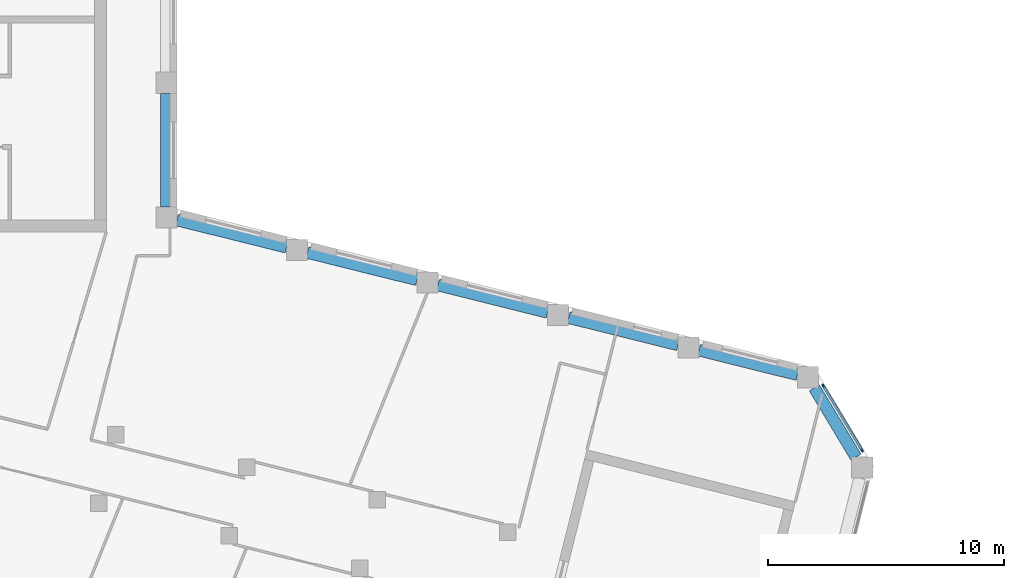
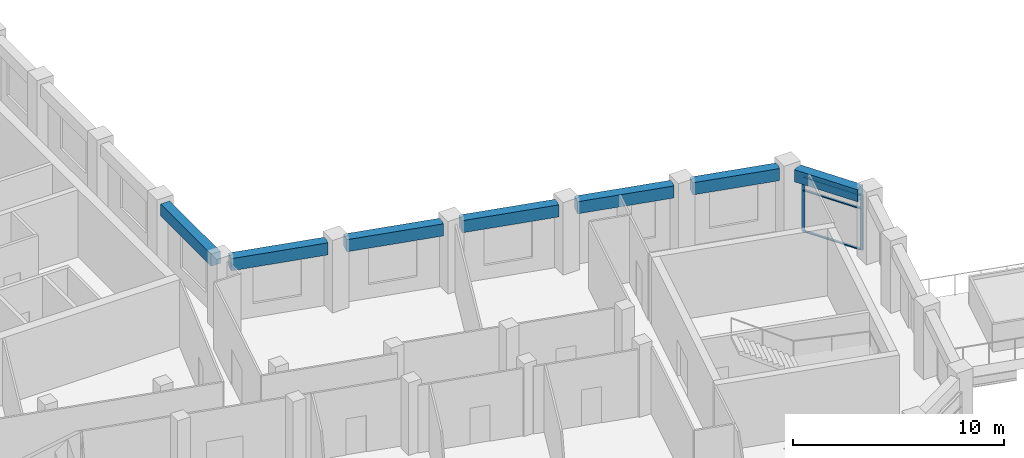
# One storey, part 3 of 13: 7 beams, 5 members, 1 element without a shape of its own.
"""IFC4 building model written with IfcOpenShell, lengths in metres."""

from ifc_helpers import new_model, si_unit, direction, frame, origin, origin_2d, place, context, subcontext, project, spatial, rectangle, extrude, material, material_profile, profile_set, type_object, element, aggregate, save


model = new_model("IFC4")

# Units and contexts
model_context = context("Model", 3, precision=1e-05, world=origin(), true_north=direction((0.0, 1.0)))
body_context = subcontext(model_context, "Body", "Model", "MODEL_VIEW")
ifc_project = project(units=[si_unit("LENGTHUNIT", "METRE"), si_unit("AREAUNIT", "SQUARE_METRE"), si_unit("VOLUMEUNIT", "CUBIC_METRE"), si_unit("PLANEANGLEUNIT", "RADIAN"), si_unit("MASSUNIT", "GRAM", prefix="KILO")], contexts=[model_context])

# Site, building, storey
site_placement = place(None, origin())
site = spatial("IfcSite", under=ifc_project, at=site_placement, CompositionType="ELEMENT")
building_placement = place(site_placement, origin())
building = spatial("IfcBuilding", under=site, at=building_placement, Name="Meshkara Civic Tower", CompositionType="ELEMENT")
storey_placement = place(building_placement, frame((0.0, 0.0, 383.39990234375)))
storey = spatial("IfcBuildingStorey", under=building, at=storey_placement, Name="L88", CompositionType="ELEMENT", Elevation=383.39990234375)

# Curtain wall, members
ifc_material_1 = material(Name="Tinted double glazing", Category="glass")
curtain_wall_type = type_object("IfcCurtainWallType", Name="CW POOL PAVILION AND FOYER", PredefinedType="NOTDEFINED", material=ifc_material_1)
curtain_wall_placement = place(storey_placement, origin())
curtain_wall = element("IfcCurtainWall", 1, at=curtain_wall_placement, inside=storey, type_object=curtain_wall_type, Name="Curtain wall CW4", PredefinedType="NOTDEFINED")
ifc_material_2 = material(Name="Bronze anodised aluminium", Category="aluminium")
ifc_material_profile_1 = material_profile(ifc_material_2, rectangle(XDim=0.06005859375, YDim=0.159912109375, at=origin_2d()))
ifc_profile_set_1 = profile_set([ifc_material_profile_1], Name="Bronze anodised aluminium")
member_type_1 = type_object("IfcMemberType", Name="CW MULLION 60x160", PredefinedType="MULLION", material=ifc_profile_set_1)
member_1_placement = place(storey_placement, frame((62.815673828125, 4.860595703125, 0.0), z_axis=(0.0, 0.0, 1.0), x_axis=(-0.85724680136, -0.514905740459, 0.0)))
member_1 = element("IfcMember", 2, at=member_1_placement, type_object=member_type_1, Name="CW4 mullion 1", PredefinedType="MULLION", context=body_context, shape_type="SweptSolid", body=[
    extrude(rectangle(XDim=0.06005859375, YDim=0.159912109375, at=origin_2d()), origin(), (0.0, 0.0, 1.0), 3.2001953125),
])
member_2_placement = place(storey_placement, frame((61.184326171875, 7.576171875, 0.0), z_axis=(0.0, 0.0, 1.0), x_axis=(-0.85724680136, -0.514905740459, 0.0)))
member_2 = element("IfcMember", 3, at=member_2_placement, type_object=member_type_1, Name="CW4 mullion 2", PredefinedType="MULLION", context=body_context, shape_type="SweptSolid", body=[
    extrude(rectangle(XDim=0.06005859375, YDim=0.159912109375, at=origin_2d()), origin(), (0.0, 0.0, 1.0), 3.2001953125),
])
ifc_material_3 = material(Name="Bronze anodised aluminium", Category="aluminium")
ifc_material_profile_2 = material_profile(ifc_material_3, rectangle(XDim=0.1201171875, YDim=0.06005859375, at=origin_2d()))
ifc_profile_set_2 = profile_set([ifc_material_profile_2], Name="Bronze anodised aluminium")
member_type_2 = type_object("IfcMemberType", Name="CW TRANSOM 60x120", PredefinedType="USERDEFINED", material=ifc_profile_set_2)
member_3_placement = place(storey_placement, frame((62.800048828125, 4.886474609375, 0.030029296875), z_axis=(-0.514888506227, 0.857257152875, 0.0), x_axis=(-0.857257152875, -0.514888506227, 0.0)))
member_3 = element("IfcMember", 4, at=member_3_placement, type_object=member_type_2, Name="CW4 transom 1.1", ObjectType="TRANSOM", PredefinedType="USERDEFINED", context=body_context, shape_type="SweptSolid", body=[
    extrude(rectangle(XDim=0.1201171875, YDim=0.06005859375, at=origin_2d()), origin(), (0.0, 0.0, 1.0), 3.107666015625),
])
member_4_placement = place(storey_placement, frame((62.800048828125, 4.886474609375, 2.400146484375), z_axis=(-0.514888506227, 0.857257152875, 0.0), x_axis=(-0.857257152875, -0.514888506227, 0.0)))
member_4 = element("IfcMember", 5, at=member_4_placement, type_object=member_type_2, Name="CW4 transom 1.2", ObjectType="TRANSOM", PredefinedType="USERDEFINED", context=body_context, shape_type="SweptSolid", body=[
    extrude(rectangle(XDim=0.1201171875, YDim=0.06005859375, at=origin_2d()), origin(), (0.0, 0.0, 1.0), 3.107666015625),
])
member_5_placement = place(storey_placement, frame((62.800048828125, 4.886474609375, 3.170166015625), z_axis=(-0.514888506227, 0.857257152875, 0.0), x_axis=(-0.857257152875, -0.514888506227, 0.0)))
member_5 = element("IfcMember", 6, at=member_5_placement, type_object=member_type_2, Name="CW4 transom 1.3", ObjectType="TRANSOM", PredefinedType="USERDEFINED", context=body_context, shape_type="SweptSolid", body=[
    extrude(rectangle(XDim=0.1201171875, YDim=0.06005859375, at=origin_2d()), origin(), (0.0, 0.0, 1.0), 3.107666015625),
])
aggregate(curtain_wall, [member_1, member_2, member_3, member_4, member_5])

# Beams
ifc_material_4 = material(Name="Concrete C50", Category="concrete")
ifc_material_profile_3 = material_profile(ifc_material_4, rectangle(XDim=0.5, YDim=0.699951171875, at=origin_2d()))
ifc_profile_set_3 = profile_set([ifc_material_profile_3], Name="Concrete C50")
beam_type = type_object("IfcBeamType", Name="Spandrel beam RC 500x700 C50", PredefinedType="BEAM", material=ifc_profile_set_3)
for number, where, z_axis, x_axis, name in (
    (7, (55.02783203125, 9.31396484375, 3.550048828125), (-0.970298442389, 0.241911001604, 0.0), (-0.241911001604, -0.970298442389, 0.0), "Spandrel beam BN03-BN04"),
    (8, (49.496826171875, 10.693115234375, 3.550048828125), (-0.970298442389, 0.241911001604, 0.0), (-0.241911001604, -0.970298442389, 0.0), "Spandrel beam BN02-BN03"),
):
    element("IfcBeam", number, at=place(storey_placement, frame(where, z_axis=z_axis, x_axis=x_axis)), inside=storey, type_object=beam_type, Name=name, PredefinedType="BEAM", context=body_context, shape_type="SweptSolid", body=[
        extrude(rectangle(XDim=0.5, YDim=0.699951171875, at=origin_2d()), origin(), (0.0, 0.0, 1.0), 4.78271484375),
    ])
beam_1_placement = place(storey_placement, frame((43.9658203125, 12.072021484375, 3.550048828125), z_axis=(-0.970286489601, 0.241958938867, 0.0), x_axis=(-0.241958938867, -0.970286489601, 0.0)))
element("IfcBeam", 9, at=beam_1_placement, inside=storey, type_object=beam_type, Name="Spandrel beam BN01-BN02", PredefinedType="BEAM", context=body_context, shape_type="SweptSolid", body=[
    extrude(rectangle(XDim=0.5, YDim=0.699951171875, at=origin_2d()), origin(), (0.0, 0.0, 1.0), 4.78173828125),
])
beam_2_placement = place(storey_placement, frame((38.435791015625, 13.450927734375, 3.550048828125), z_axis=(-0.970298442389, 0.241911001604, 0.0), x_axis=(-0.241911001604, -0.970298442389, 0.0)))
element("IfcBeam", 10, at=beam_2_placement, inside=storey, type_object=beam_type, Name="Spandrel beam BN01-HE00", PredefinedType="BEAM", context=body_context, shape_type="SweptSolid", body=[
    extrude(rectangle(XDim=0.5, YDim=0.699951171875, at=origin_2d()), origin(), (0.0, 0.0, 1.0), 4.78271484375),
])
beam_3_placement = place(storey_placement, frame((33.35009765625, 15.1640625, 3.550048828125), z_axis=(0.0, 1.0, 0.0), x_axis=(-1.0, 0.0, 0.0)))
element("IfcBeam", 11, at=beam_3_placement, inside=storey, type_object=beam_type, Name="Spandrel beam HE00-HE01", PredefinedType="BEAM", context=body_context, shape_type="SweptSolid", body=[
    extrude(rectangle(XDim=0.5, YDim=0.699951171875, at=origin_2d()), origin(), (0.0, 0.0, 1.0), 4.81005859375),
])
beam_4_placement = place(storey_placement, frame((62.564208984375, 4.560791015625, 3.550048828125), z_axis=(-0.515072411416, 0.857146668312, 0.0), x_axis=(-0.857146668312, -0.515072411416, 0.0)))
element("IfcBeam", 12, at=beam_4_placement, inside=storey, type_object=beam_type, Name="Spandrel beam BTEP5-BTi00-P5", PredefinedType="BEAM", context=body_context, shape_type="SweptSolid", body=[
    extrude(rectangle(XDim=0.5, YDim=0.699951171875, at=origin_2d()), origin(), (0.0, 0.0, 1.0), 3.423583984375),
])
beam_5_placement = place(storey_placement, frame((60.087890625, 8.052001953125, 3.550048828125), z_axis=(-0.970272690872, 0.242014266826, 0.0), x_axis=(-0.242014266826, -0.970272690872, 0.0)))
element("IfcBeam", 13, at=beam_5_placement, inside=storey, type_object=beam_type, Name="Spandrel beam BN04-BTi00-P5", PredefinedType="BEAM", context=body_context, shape_type="SweptSolid", body=[
    extrude(rectangle(XDim=0.5, YDim=0.699951171875, at=origin_2d()), origin(), (0.0, 0.0, 1.0), 4.29736328125),
])

save(model, "model.ifc")
